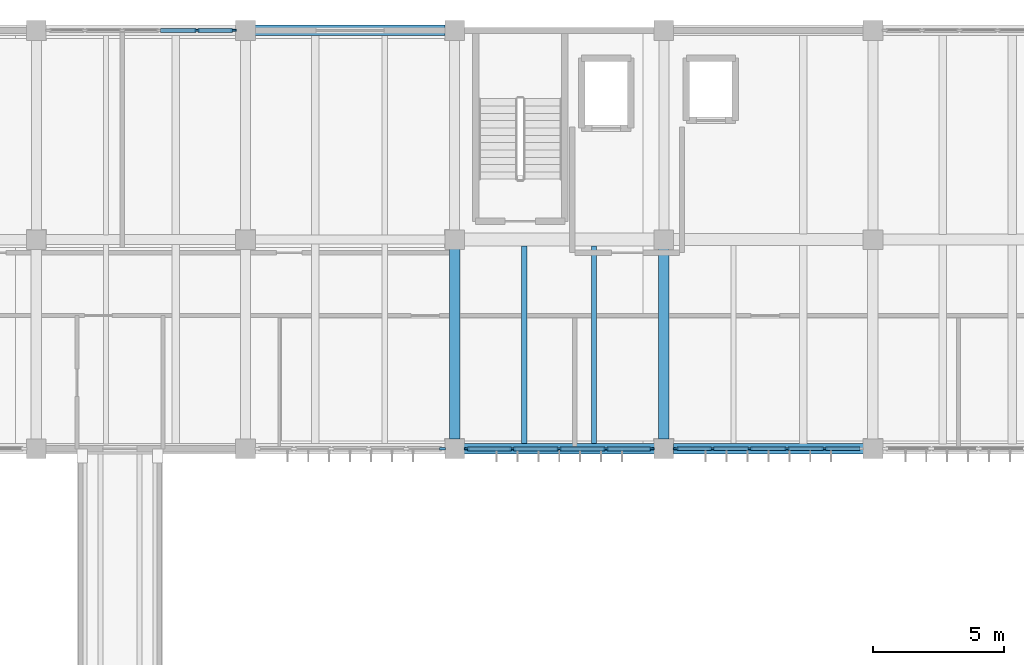
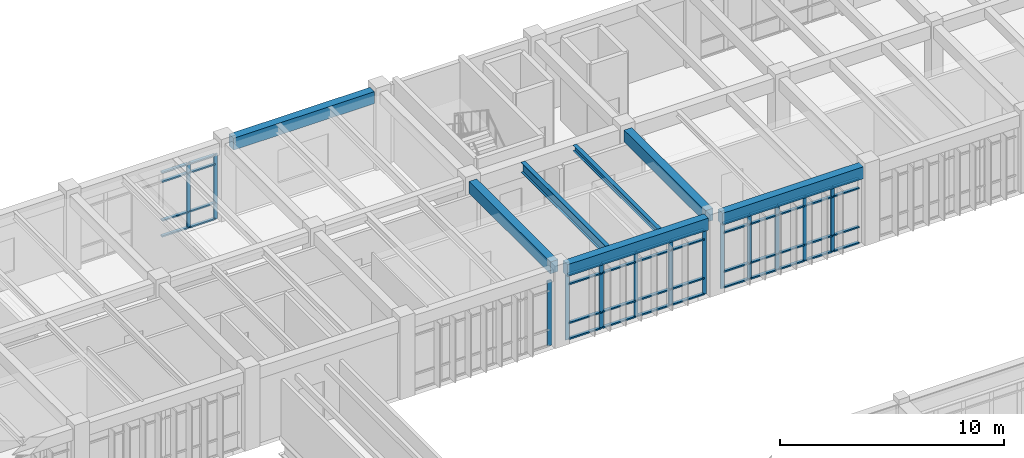
# One storey, part 24 of 79: 57 members, 7 beams, 4 elements without a shape of their own.
"""IFC4 building model written with IfcOpenShell, lengths in metres."""

from ifc_helpers import new_model, si_unit, direction, frame, origin, origin_2d, place, context, subcontext, project, spatial, rectangle, i_section, extrude, material, material_profile, profile_set, type_object, element, aggregate, save


model = new_model("IFC4")

# Units and contexts
model_context = context("Model", 3, precision=1e-05, world=origin(), true_north=direction((0.0, 1.0)))
body_context = subcontext(model_context, "Body", "Model", "MODEL_VIEW")
ifc_project = project(units=[si_unit("LENGTHUNIT", "METRE"), si_unit("AREAUNIT", "SQUARE_METRE"), si_unit("VOLUMEUNIT", "CUBIC_METRE"), si_unit("PLANEANGLEUNIT", "RADIAN"), si_unit("MASSUNIT", "GRAM", prefix="KILO")], contexts=[model_context])

# Site, building, storey
site_placement = place(None, origin())
site = spatial("IfcSite", under=ifc_project, at=site_placement, CompositionType="ELEMENT")
building_placement = place(site_placement, origin())
building = spatial("IfcBuilding", under=site, at=building_placement, Name="Tlaxcora Railside Police Headquarters", CompositionType="ELEMENT")
storey_placement = place(building_placement, frame((0.0, 0.0, 9.0)))
storey = spatial("IfcBuildingStorey", under=building, at=storey_placement, Name="L02", CompositionType="ELEMENT", Elevation=9.0)

# Curtain wall, member
ifc_material_1 = material(Name="Thermally broken low-E insulated glazing", Category="glass")
curtain_wall_type_1 = type_object("IfcCurtainWallType", Name="Unitised Curtain Wall Assembly CW-23", PredefinedType="NOTDEFINED", material=ifc_material_1)
curtain_wall_1_placement = place(storey_placement, origin())
curtain_wall_1 = element("IfcCurtainWall", 1, at=curtain_wall_1_placement, inside=storey, type_object=curtain_wall_type_1, Name="V5 L02 curtain wall 56", PredefinedType="NOTDEFINED")
ifc_material_2 = material(Name="Anodised aluminium framing", Category="aluminium")
ifc_material_profile_1 = material_profile(ifc_material_2, rectangle(XDim=0.080078125, YDim=0.219970703125, at=origin_2d()), Name="AL80X220")
ifc_profile_set_1 = profile_set([ifc_material_profile_1], Name="Anodised aluminium framing")
member_type_1 = type_object("IfcMemberType", Name="Curtain Wall Mullion CW-31", PredefinedType="MULLION", material=ifc_profile_set_1)
member_1_placement = place(storey_placement, frame((69.534912109375, 76.800048828125, 0.0), z_axis=(0.0, 0.0, 1.0), x_axis=(0.0, 1.0, 0.0)))
member_1 = element("IfcMember", 2, at=member_1_placement, type_object=member_type_1, Name="CW mullion 6", PredefinedType="MULLION", context=body_context, shape_type="SweptSolid", body=[
    extrude(rectangle(XDim=0.080078125, YDim=0.219970703125, at=origin_2d()), origin(), (0.0, 0.0, 1.0), 3.550048828125),
])
aggregate(curtain_wall_1, [member_1])

# Curtain wall, members
curtain_wall_type_2 = type_object("IfcCurtainWallType", Name="Unitised Curtain Wall Assembly CW-38", PredefinedType="NOTDEFINED", material=ifc_material_1)
curtain_wall_2_placement = place(storey_placement, origin())
curtain_wall_2 = element("IfcCurtainWall", 3, at=curtain_wall_2_placement, inside=storey, type_object=curtain_wall_type_2, Name="V5 L02 curtain wall 57", PredefinedType="NOTDEFINED")
ifc_material_profile_2 = material_profile(ifc_material_2, rectangle(XDim=0.074951171875, YDim=0.205078125, at=origin_2d()), Name="AL75X205")
ifc_profile_set_2 = profile_set([ifc_material_profile_2], Name="Anodised aluminium framing")
member_type_2 = type_object("IfcMemberType", Name="Curtain Wall Mullion CW-32", PredefinedType="MULLION", material=ifc_profile_set_2)
member_2_placement = place(storey_placement, frame((70.46240234375, 76.800048828125, 0.0), z_axis=(0.0, 0.0, 1.0), x_axis=(0.0, 1.0, 0.0)))
member_2 = element("IfcMember", 4, at=member_2_placement, type_object=member_type_2, Name="CW mullion 1", PredefinedType="MULLION", context=body_context, shape_type="SweptSolid", body=[
    extrude(rectangle(XDim=0.074951171875, YDim=0.205078125, at=origin_2d()), origin(), (0.0, 0.0, 1.0), 3.550048828125),
])
member_3_placement = place(storey_placement, frame((72.21240234375, 76.800048828125, 0.0), z_axis=(0.0, 0.0, 1.0), x_axis=(0.0, 1.0, 0.0)))
member_3 = element("IfcMember", 5, at=member_3_placement, type_object=member_type_2, Name="CW mullion 2", PredefinedType="MULLION", context=body_context, shape_type="SweptSolid", body=[
    extrude(rectangle(XDim=0.074951171875, YDim=0.205078125, at=origin_2d()), origin(), (0.0, 0.0, 1.0), 3.550048828125),
])
member_4_placement = place(storey_placement, frame((74.0, 76.800048828125, 0.0), z_axis=(0.0, 0.0, 1.0), x_axis=(0.0, 1.0, 0.0)))
member_4 = element("IfcMember", 6, at=member_4_placement, type_object=member_type_2, Name="CW mullion 3", PredefinedType="MULLION", context=body_context, shape_type="SweptSolid", body=[
    extrude(rectangle(XDim=0.074951171875, YDim=0.205078125, at=origin_2d()), origin(), (0.0, 0.0, 1.0), 3.550048828125),
])
member_5_placement = place(storey_placement, frame((75.78759765625, 76.800048828125, 0.0), z_axis=(0.0, 0.0, 1.0), x_axis=(0.0, 1.0, 0.0)))
member_5 = element("IfcMember", 7, at=member_5_placement, type_object=member_type_2, Name="CW mullion 4", PredefinedType="MULLION", context=body_context, shape_type="SweptSolid", body=[
    extrude(rectangle(XDim=0.074951171875, YDim=0.205078125, at=origin_2d()), origin(), (0.0, 0.0, 1.0), 3.550048828125),
])
member_6_placement = place(storey_placement, frame((77.53759765625, 76.800048828125, 0.0), z_axis=(0.0, 0.0, 1.0), x_axis=(0.0, 1.0, 0.0)))
member_6 = element("IfcMember", 8, at=member_6_placement, type_object=member_type_2, Name="CW mullion 5", PredefinedType="MULLION", context=body_context, shape_type="SweptSolid", body=[
    extrude(rectangle(XDim=0.074951171875, YDim=0.205078125, at=origin_2d()), origin(), (0.0, 0.0, 1.0), 3.550048828125),
])

curtain_wall_type_3 = type_object("IfcCurtainWallType", Name="Unitised Curtain Wall Assembly CW-15", PredefinedType="NOTDEFINED", material=ifc_material_1)
curtain_wall_3_placement = place(storey_placement, origin())
curtain_wall_3 = element("IfcCurtainWall", 9, at=curtain_wall_3_placement, inside=storey, type_object=curtain_wall_type_3, Name="V5 L02 curtain wall 58", PredefinedType="NOTDEFINED")
ifc_material_profile_3 = material_profile(ifc_material_2, rectangle(XDim=0.074951171875, YDim=0.199951171875, at=origin_2d()), Name="AL75X200")
ifc_profile_set_3 = profile_set([ifc_material_profile_3], Name="Anodised aluminium framing")
member_type_3 = type_object("IfcMemberType", Name="Curtain Wall Mullion CW-58", PredefinedType="MULLION", material=ifc_profile_set_3)
member_7_placement = place(storey_placement, frame((78.46240234375, 76.800048828125, 0.0), z_axis=(0.0, 0.0, 1.0), x_axis=(0.0, 1.0, 0.0)))
member_7 = element("IfcMember", 10, at=member_7_placement, type_object=member_type_3, Name="CW mullion 1", PredefinedType="MULLION", context=body_context, shape_type="SweptSolid", body=[
    extrude(rectangle(XDim=0.074951171875, YDim=0.199951171875, at=origin_2d()), origin(), (0.0, 0.0, 1.0), 3.550048828125),
])
member_8_placement = place(storey_placement, frame((79.85498046875, 76.800048828125, 0.0), z_axis=(0.0, 0.0, 1.0), x_axis=(0.0, 1.0, 0.0)))
member_8 = element("IfcMember", 11, at=member_8_placement, type_object=member_type_3, Name="CW mullion 2", PredefinedType="MULLION", context=body_context, shape_type="SweptSolid", body=[
    extrude(rectangle(XDim=0.074951171875, YDim=0.199951171875, at=origin_2d()), origin(), (0.0, 0.0, 1.0), 3.550048828125),
])
member_9_placement = place(storey_placement, frame((81.284912109375, 76.800048828125, 0.0), z_axis=(0.0, 0.0, 1.0), x_axis=(0.0, 1.0, 0.0)))
member_9 = element("IfcMember", 12, at=member_9_placement, type_object=member_type_3, Name="CW mullion 3", PredefinedType="MULLION", context=body_context, shape_type="SweptSolid", body=[
    extrude(rectangle(XDim=0.074951171875, YDim=0.199951171875, at=origin_2d()), origin(), (0.0, 0.0, 1.0), 3.550048828125),
])
member_10_placement = place(storey_placement, frame((82.715087890625, 76.800048828125, 0.0), z_axis=(0.0, 0.0, 1.0), x_axis=(0.0, 1.0, 0.0)))
member_10 = element("IfcMember", 13, at=member_10_placement, type_object=member_type_3, Name="CW mullion 4", PredefinedType="MULLION", context=body_context, shape_type="SweptSolid", body=[
    extrude(rectangle(XDim=0.074951171875, YDim=0.199951171875, at=origin_2d()), origin(), (0.0, 0.0, 1.0), 3.550048828125),
])
member_11_placement = place(storey_placement, frame((84.14501953125, 76.800048828125, 0.0), z_axis=(0.0, 0.0, 1.0), x_axis=(0.0, 1.0, 0.0)))
member_11 = element("IfcMember", 14, at=member_11_placement, type_object=member_type_3, Name="CW mullion 5", PredefinedType="MULLION", context=body_context, shape_type="SweptSolid", body=[
    extrude(rectangle(XDim=0.074951171875, YDim=0.199951171875, at=origin_2d()), origin(), (0.0, 0.0, 1.0), 3.550048828125),
])

curtain_wall_4_placement = place(storey_placement, origin())
curtain_wall_4 = element("IfcCurtainWall", 15, at=curtain_wall_4_placement, inside=storey, type_object=curtain_wall_type_3, Name="V5 L02 curtain wall 62", PredefinedType="NOTDEFINED")
member_12_placement = place(storey_placement, frame((61.53759765625, 92.800048828125, 0.0), z_axis=(0.0, 0.0, 1.0), x_axis=(0.0, -1.0, 0.0)))
member_12 = element("IfcMember", 16, at=member_12_placement, type_object=member_type_3, Name="CW mullion 1", PredefinedType="MULLION", context=body_context, shape_type="SweptSolid", body=[
    extrude(rectangle(XDim=0.074951171875, YDim=0.199951171875, at=origin_2d()), origin(), (0.0, 0.0, 1.0), 3.550048828125),
])
member_13_placement = place(storey_placement, frame((60.14501953125, 92.800048828125, 0.0), z_axis=(0.0, 0.0, 1.0), x_axis=(0.0, -1.0, 0.0)))
member_13 = element("IfcMember", 17, at=member_13_placement, type_object=member_type_3, Name="CW mullion 2", PredefinedType="MULLION", context=body_context, shape_type="SweptSolid", body=[
    extrude(rectangle(XDim=0.074951171875, YDim=0.199951171875, at=origin_2d()), origin(), (0.0, 0.0, 1.0), 3.550048828125),
])

# Member
ifc_material_profile_4 = material_profile(ifc_material_2, rectangle(XDim=0.14990234375, YDim=0.074951171875, at=origin_2d()), Name="AL75X150")
ifc_profile_set_4 = profile_set([ifc_material_profile_4], Name="Anodised aluminium framing")
member_type_4 = type_object("IfcMemberType", Name="Curtain Wall Transom CW-28", PredefinedType="USERDEFINED", material=ifc_profile_set_4)
member_14_placement = place(storey_placement, frame((78.5, 76.800048828125, 0.03759765625), z_axis=(1.0, 0.0, 0.0), x_axis=(0.0, 1.0, 0.0)))
member_14 = element("IfcMember", 18, at=member_14_placement, type_object=member_type_4, Name="CW transom 1.1", ObjectType="TRANSOM", PredefinedType="USERDEFINED", context=body_context, shape_type="SweptSolid", body=[
    extrude(rectangle(XDim=0.14990234375, YDim=0.074951171875, at=origin_2d()), origin(), (0.0, 0.0, 1.0), 1.3173828125),
])

member_15_placement = place(storey_placement, frame((78.5, 76.800048828125, 0.89990234375), z_axis=(1.0, 0.0, 0.0), x_axis=(0.0, 1.0, 0.0)))
member_15 = element("IfcMember", 19, at=member_15_placement, type_object=member_type_4, Name="CW transom 1.2", ObjectType="TRANSOM", PredefinedType="USERDEFINED", context=body_context, shape_type="SweptSolid", body=[
    extrude(rectangle(XDim=0.14990234375, YDim=0.074951171875, at=origin_2d()), origin(), (0.0, 0.0, 1.0), 1.3173828125),
])

member_16_placement = place(storey_placement, frame((78.5, 76.800048828125, 3.02001953125), z_axis=(1.0, 0.0, 0.0), x_axis=(0.0, 1.0, 0.0)))
member_16 = element("IfcMember", 20, at=member_16_placement, type_object=member_type_4, Name="CW transom 1.3", ObjectType="TRANSOM", PredefinedType="USERDEFINED", context=body_context, shape_type="SweptSolid", body=[
    extrude(rectangle(XDim=0.14990234375, YDim=0.074951171875, at=origin_2d()), origin(), (0.0, 0.0, 1.0), 1.3173828125),
])

member_17_placement = place(storey_placement, frame((78.5, 76.800048828125, 3.512451171875), z_axis=(1.0, 0.0, 0.0), x_axis=(0.0, 1.0, 0.0)))
member_17 = element("IfcMember", 21, at=member_17_placement, type_object=member_type_4, Name="CW transom 1.4", ObjectType="TRANSOM", PredefinedType="USERDEFINED", context=body_context, shape_type="SweptSolid", body=[
    extrude(rectangle(XDim=0.14990234375, YDim=0.074951171875, at=origin_2d()), origin(), (0.0, 0.0, 1.0), 1.3173828125),
])

member_18_placement = place(storey_placement, frame((79.892578125, 76.800048828125, 0.03759765625), z_axis=(1.0, 0.0, 0.0), x_axis=(0.0, 1.0, 0.0)))
member_18 = element("IfcMember", 22, at=member_18_placement, type_object=member_type_4, Name="CW transom 2.1", ObjectType="TRANSOM", PredefinedType="USERDEFINED", context=body_context, shape_type="SweptSolid", body=[
    extrude(rectangle(XDim=0.14990234375, YDim=0.074951171875, at=origin_2d()), origin(), (0.0, 0.0, 1.0), 1.35498046875),
])

member_19_placement = place(storey_placement, frame((79.892578125, 76.800048828125, 0.89990234375), z_axis=(1.0, 0.0, 0.0), x_axis=(0.0, 1.0, 0.0)))
member_19 = element("IfcMember", 23, at=member_19_placement, type_object=member_type_4, Name="CW transom 2.2", ObjectType="TRANSOM", PredefinedType="USERDEFINED", context=body_context, shape_type="SweptSolid", body=[
    extrude(rectangle(XDim=0.14990234375, YDim=0.074951171875, at=origin_2d()), origin(), (0.0, 0.0, 1.0), 1.35498046875),
])

member_20_placement = place(storey_placement, frame((79.892578125, 76.800048828125, 3.02001953125), z_axis=(1.0, 0.0, 0.0), x_axis=(0.0, 1.0, 0.0)))
member_20 = element("IfcMember", 24, at=member_20_placement, type_object=member_type_4, Name="CW transom 2.3", ObjectType="TRANSOM", PredefinedType="USERDEFINED", context=body_context, shape_type="SweptSolid", body=[
    extrude(rectangle(XDim=0.14990234375, YDim=0.074951171875, at=origin_2d()), origin(), (0.0, 0.0, 1.0), 1.35498046875),
])

member_21_placement = place(storey_placement, frame((79.892578125, 76.800048828125, 3.512451171875), z_axis=(1.0, 0.0, 0.0), x_axis=(0.0, 1.0, 0.0)))
member_21 = element("IfcMember", 25, at=member_21_placement, type_object=member_type_4, Name="CW transom 2.4", ObjectType="TRANSOM", PredefinedType="USERDEFINED", context=body_context, shape_type="SweptSolid", body=[
    extrude(rectangle(XDim=0.14990234375, YDim=0.074951171875, at=origin_2d()), origin(), (0.0, 0.0, 1.0), 1.35498046875),
])

member_22_placement = place(storey_placement, frame((81.322509765625, 76.800048828125, 0.03759765625), z_axis=(1.0, 0.0, 0.0), x_axis=(0.0, 1.0, 0.0)))
member_22 = element("IfcMember", 26, at=member_22_placement, type_object=member_type_4, Name="CW transom 3.1", ObjectType="TRANSOM", PredefinedType="USERDEFINED", context=body_context, shape_type="SweptSolid", body=[
    extrude(rectangle(XDim=0.14990234375, YDim=0.074951171875, at=origin_2d()), origin(), (0.0, 0.0, 1.0), 1.35498046875),
])

member_23_placement = place(storey_placement, frame((81.322509765625, 76.800048828125, 0.89990234375), z_axis=(1.0, 0.0, 0.0), x_axis=(0.0, 1.0, 0.0)))
member_23 = element("IfcMember", 27, at=member_23_placement, type_object=member_type_4, Name="CW transom 3.2", ObjectType="TRANSOM", PredefinedType="USERDEFINED", context=body_context, shape_type="SweptSolid", body=[
    extrude(rectangle(XDim=0.14990234375, YDim=0.074951171875, at=origin_2d()), origin(), (0.0, 0.0, 1.0), 1.35498046875),
])

member_24_placement = place(storey_placement, frame((81.322509765625, 76.800048828125, 3.02001953125), z_axis=(1.0, 0.0, 0.0), x_axis=(0.0, 1.0, 0.0)))
member_24 = element("IfcMember", 28, at=member_24_placement, type_object=member_type_4, Name="CW transom 3.3", ObjectType="TRANSOM", PredefinedType="USERDEFINED", context=body_context, shape_type="SweptSolid", body=[
    extrude(rectangle(XDim=0.14990234375, YDim=0.074951171875, at=origin_2d()), origin(), (0.0, 0.0, 1.0), 1.35498046875),
])

member_25_placement = place(storey_placement, frame((81.322509765625, 76.800048828125, 3.512451171875), z_axis=(1.0, 0.0, 0.0), x_axis=(0.0, 1.0, 0.0)))
member_25 = element("IfcMember", 29, at=member_25_placement, type_object=member_type_4, Name="CW transom 3.4", ObjectType="TRANSOM", PredefinedType="USERDEFINED", context=body_context, shape_type="SweptSolid", body=[
    extrude(rectangle(XDim=0.14990234375, YDim=0.074951171875, at=origin_2d()), origin(), (0.0, 0.0, 1.0), 1.35498046875),
])

member_26_placement = place(storey_placement, frame((82.75244140625, 76.800048828125, 0.03759765625), z_axis=(1.0, 0.0, 0.0), x_axis=(0.0, 1.0, 0.0)))
member_26 = element("IfcMember", 30, at=member_26_placement, type_object=member_type_4, Name="CW transom 4.1", ObjectType="TRANSOM", PredefinedType="USERDEFINED", context=body_context, shape_type="SweptSolid", body=[
    extrude(rectangle(XDim=0.14990234375, YDim=0.074951171875, at=origin_2d()), origin(), (0.0, 0.0, 1.0), 1.35498046875),
])

member_27_placement = place(storey_placement, frame((82.75244140625, 76.800048828125, 0.89990234375), z_axis=(1.0, 0.0, 0.0), x_axis=(0.0, 1.0, 0.0)))
member_27 = element("IfcMember", 31, at=member_27_placement, type_object=member_type_4, Name="CW transom 4.2", ObjectType="TRANSOM", PredefinedType="USERDEFINED", context=body_context, shape_type="SweptSolid", body=[
    extrude(rectangle(XDim=0.14990234375, YDim=0.074951171875, at=origin_2d()), origin(), (0.0, 0.0, 1.0), 1.35498046875),
])

member_28_placement = place(storey_placement, frame((82.75244140625, 76.800048828125, 3.02001953125), z_axis=(1.0, 0.0, 0.0), x_axis=(0.0, 1.0, 0.0)))
member_28 = element("IfcMember", 32, at=member_28_placement, type_object=member_type_4, Name="CW transom 4.3", ObjectType="TRANSOM", PredefinedType="USERDEFINED", context=body_context, shape_type="SweptSolid", body=[
    extrude(rectangle(XDim=0.14990234375, YDim=0.074951171875, at=origin_2d()), origin(), (0.0, 0.0, 1.0), 1.35498046875),
])

member_29_placement = place(storey_placement, frame((82.75244140625, 76.800048828125, 3.512451171875), z_axis=(1.0, 0.0, 0.0), x_axis=(0.0, 1.0, 0.0)))
member_29 = element("IfcMember", 33, at=member_29_placement, type_object=member_type_4, Name="CW transom 4.4", ObjectType="TRANSOM", PredefinedType="USERDEFINED", context=body_context, shape_type="SweptSolid", body=[
    extrude(rectangle(XDim=0.14990234375, YDim=0.074951171875, at=origin_2d()), origin(), (0.0, 0.0, 1.0), 1.35498046875),
])

member_30_placement = place(storey_placement, frame((84.1826171875, 76.800048828125, 0.03759765625), z_axis=(1.0, 0.0, 0.0), x_axis=(0.0, 1.0, 0.0)))
member_30 = element("IfcMember", 34, at=member_30_placement, type_object=member_type_4, Name="CW transom 5.1", ObjectType="TRANSOM", PredefinedType="USERDEFINED", context=body_context, shape_type="SweptSolid", body=[
    extrude(rectangle(XDim=0.14990234375, YDim=0.074951171875, at=origin_2d()), origin(), (0.0, 0.0, 1.0), 1.3173828125),
])

member_31_placement = place(storey_placement, frame((84.1826171875, 76.800048828125, 0.89990234375), z_axis=(1.0, 0.0, 0.0), x_axis=(0.0, 1.0, 0.0)))
member_31 = element("IfcMember", 35, at=member_31_placement, type_object=member_type_4, Name="CW transom 5.2", ObjectType="TRANSOM", PredefinedType="USERDEFINED", context=body_context, shape_type="SweptSolid", body=[
    extrude(rectangle(XDim=0.14990234375, YDim=0.074951171875, at=origin_2d()), origin(), (0.0, 0.0, 1.0), 1.3173828125),
])

member_32_placement = place(storey_placement, frame((84.1826171875, 76.800048828125, 3.02001953125), z_axis=(1.0, 0.0, 0.0), x_axis=(0.0, 1.0, 0.0)))
member_32 = element("IfcMember", 36, at=member_32_placement, type_object=member_type_4, Name="CW transom 5.3", ObjectType="TRANSOM", PredefinedType="USERDEFINED", context=body_context, shape_type="SweptSolid", body=[
    extrude(rectangle(XDim=0.14990234375, YDim=0.074951171875, at=origin_2d()), origin(), (0.0, 0.0, 1.0), 1.3173828125),
])

member_33_placement = place(storey_placement, frame((84.1826171875, 76.800048828125, 3.512451171875), z_axis=(1.0, 0.0, 0.0), x_axis=(0.0, 1.0, 0.0)))
member_33 = element("IfcMember", 37, at=member_33_placement, type_object=member_type_4, Name="CW transom 5.4", ObjectType="TRANSOM", PredefinedType="USERDEFINED", context=body_context, shape_type="SweptSolid", body=[
    extrude(rectangle(XDim=0.14990234375, YDim=0.074951171875, at=origin_2d()), origin(), (0.0, 0.0, 1.0), 1.3173828125),
])

aggregate(curtain_wall_3, [member_7, member_8, member_9, member_10, member_11, member_14, member_15, member_16, member_17, member_18, member_19, member_20, member_21, member_22, member_23, member_24, member_25, member_26, member_27, member_28, member_29, member_30, member_31, member_32, member_33])

member_34_placement = place(storey_placement, frame((61.5, 92.800048828125, 0.03759765625), z_axis=(-1.0, 0.0, 0.0), x_axis=(0.0, -1.0, 0.0)))
member_34 = element("IfcMember", 38, at=member_34_placement, type_object=member_type_4, Name="CW transom 1.1", ObjectType="TRANSOM", PredefinedType="USERDEFINED", context=body_context, shape_type="SweptSolid", body=[
    extrude(rectangle(XDim=0.14990234375, YDim=0.074951171875, at=origin_2d()), origin(), (0.0, 0.0, 1.0), 1.3173828125),
])

member_35_placement = place(storey_placement, frame((61.5, 92.800048828125, 0.89990234375), z_axis=(-1.0, 0.0, 0.0), x_axis=(0.0, -1.0, 0.0)))
member_35 = element("IfcMember", 39, at=member_35_placement, type_object=member_type_4, Name="CW transom 1.2", ObjectType="TRANSOM", PredefinedType="USERDEFINED", context=body_context, shape_type="SweptSolid", body=[
    extrude(rectangle(XDim=0.14990234375, YDim=0.074951171875, at=origin_2d()), origin(), (0.0, 0.0, 1.0), 1.3173828125),
])

member_36_placement = place(storey_placement, frame((61.5, 92.800048828125, 3.02001953125), z_axis=(-1.0, 0.0, 0.0), x_axis=(0.0, -1.0, 0.0)))
member_36 = element("IfcMember", 40, at=member_36_placement, type_object=member_type_4, Name="CW transom 1.3", ObjectType="TRANSOM", PredefinedType="USERDEFINED", context=body_context, shape_type="SweptSolid", body=[
    extrude(rectangle(XDim=0.14990234375, YDim=0.074951171875, at=origin_2d()), origin(), (0.0, 0.0, 1.0), 1.3173828125),
])

member_37_placement = place(storey_placement, frame((61.5, 92.800048828125, 3.512451171875), z_axis=(-1.0, 0.0, 0.0), x_axis=(0.0, -1.0, 0.0)))
member_37 = element("IfcMember", 41, at=member_37_placement, type_object=member_type_4, Name="CW transom 1.4", ObjectType="TRANSOM", PredefinedType="USERDEFINED", context=body_context, shape_type="SweptSolid", body=[
    extrude(rectangle(XDim=0.14990234375, YDim=0.074951171875, at=origin_2d()), origin(), (0.0, 0.0, 1.0), 1.3173828125),
])

member_38_placement = place(storey_placement, frame((60.107421875, 92.800048828125, 0.03759765625), z_axis=(-1.0, 0.0, 0.0), x_axis=(0.0, -1.0, 0.0)))
member_38 = element("IfcMember", 42, at=member_38_placement, type_object=member_type_4, Name="CW transom 2.1", ObjectType="TRANSOM", PredefinedType="USERDEFINED", context=body_context, shape_type="SweptSolid", body=[
    extrude(rectangle(XDim=0.14990234375, YDim=0.074951171875, at=origin_2d()), origin(), (0.0, 0.0, 1.0), 1.35498046875),
])

member_39_placement = place(storey_placement, frame((60.107421875, 92.800048828125, 0.89990234375), z_axis=(-1.0, 0.0, 0.0), x_axis=(0.0, -1.0, 0.0)))
member_39 = element("IfcMember", 43, at=member_39_placement, type_object=member_type_4, Name="CW transom 2.2", ObjectType="TRANSOM", PredefinedType="USERDEFINED", context=body_context, shape_type="SweptSolid", body=[
    extrude(rectangle(XDim=0.14990234375, YDim=0.074951171875, at=origin_2d()), origin(), (0.0, 0.0, 1.0), 1.35498046875),
])

member_40_placement = place(storey_placement, frame((60.107421875, 92.800048828125, 3.02001953125), z_axis=(-1.0, 0.0, 0.0), x_axis=(0.0, -1.0, 0.0)))
member_40 = element("IfcMember", 44, at=member_40_placement, type_object=member_type_4, Name="CW transom 2.3", ObjectType="TRANSOM", PredefinedType="USERDEFINED", context=body_context, shape_type="SweptSolid", body=[
    extrude(rectangle(XDim=0.14990234375, YDim=0.074951171875, at=origin_2d()), origin(), (0.0, 0.0, 1.0), 1.35498046875),
])

member_41_placement = place(storey_placement, frame((60.107421875, 92.800048828125, 3.512451171875), z_axis=(-1.0, 0.0, 0.0), x_axis=(0.0, -1.0, 0.0)))
member_41 = element("IfcMember", 45, at=member_41_placement, type_object=member_type_4, Name="CW transom 2.4", ObjectType="TRANSOM", PredefinedType="USERDEFINED", context=body_context, shape_type="SweptSolid", body=[
    extrude(rectangle(XDim=0.14990234375, YDim=0.074951171875, at=origin_2d()), origin(), (0.0, 0.0, 1.0), 1.35498046875),
])

aggregate(curtain_wall_4, [member_12, member_13, member_34, member_35, member_36, member_37, member_38, member_39, member_40, member_41])

ifc_material_profile_5 = material_profile(ifc_material_2, rectangle(XDim=0.155029296875, YDim=0.074951171875, at=origin_2d()), Name="AL75X155")
ifc_profile_set_5 = profile_set([ifc_material_profile_5], Name="Anodised aluminium framing")
member_type_5 = type_object("IfcMemberType", Name="Curtain Wall Transom CW-30", PredefinedType="USERDEFINED", material=ifc_profile_set_5)
member_42_placement = place(storey_placement, frame((70.5, 76.800048828125, 0.03759765625), z_axis=(1.0, 0.0, 0.0), x_axis=(0.0, 1.0, 0.0)))
member_42 = element("IfcMember", 46, at=member_42_placement, type_object=member_type_5, Name="CW transom 1.1", ObjectType="TRANSOM", PredefinedType="USERDEFINED", context=body_context, shape_type="SweptSolid", body=[
    extrude(rectangle(XDim=0.155029296875, YDim=0.074951171875, at=origin_2d()), origin(), (0.0, 0.0, 1.0), 1.675048828125),
])

member_43_placement = place(storey_placement, frame((70.5, 76.800048828125, 0.89990234375), z_axis=(1.0, 0.0, 0.0), x_axis=(0.0, 1.0, 0.0)))
member_43 = element("IfcMember", 47, at=member_43_placement, type_object=member_type_5, Name="CW transom 1.2", ObjectType="TRANSOM", PredefinedType="USERDEFINED", context=body_context, shape_type="SweptSolid", body=[
    extrude(rectangle(XDim=0.155029296875, YDim=0.074951171875, at=origin_2d()), origin(), (0.0, 0.0, 1.0), 1.675048828125),
])

member_44_placement = place(storey_placement, frame((70.5, 76.800048828125, 3.02001953125), z_axis=(1.0, 0.0, 0.0), x_axis=(0.0, 1.0, 0.0)))
member_44 = element("IfcMember", 48, at=member_44_placement, type_object=member_type_5, Name="CW transom 1.3", ObjectType="TRANSOM", PredefinedType="USERDEFINED", context=body_context, shape_type="SweptSolid", body=[
    extrude(rectangle(XDim=0.155029296875, YDim=0.074951171875, at=origin_2d()), origin(), (0.0, 0.0, 1.0), 1.675048828125),
])

member_45_placement = place(storey_placement, frame((70.5, 76.800048828125, 3.512451171875), z_axis=(1.0, 0.0, 0.0), x_axis=(0.0, 1.0, 0.0)))
member_45 = element("IfcMember", 49, at=member_45_placement, type_object=member_type_5, Name="CW transom 1.4", ObjectType="TRANSOM", PredefinedType="USERDEFINED", context=body_context, shape_type="SweptSolid", body=[
    extrude(rectangle(XDim=0.155029296875, YDim=0.074951171875, at=origin_2d()), origin(), (0.0, 0.0, 1.0), 1.675048828125),
])

member_46_placement = place(storey_placement, frame((72.25, 76.800048828125, 0.03759765625), z_axis=(1.0, 0.0, 0.0), x_axis=(0.0, 1.0, 0.0)))
member_46 = element("IfcMember", 50, at=member_46_placement, type_object=member_type_5, Name="CW transom 2.1", ObjectType="TRANSOM", PredefinedType="USERDEFINED", context=body_context, shape_type="SweptSolid", body=[
    extrude(rectangle(XDim=0.155029296875, YDim=0.074951171875, at=origin_2d()), origin(), (0.0, 0.0, 1.0), 1.71240234375),
])

member_47_placement = place(storey_placement, frame((72.25, 76.800048828125, 0.89990234375), z_axis=(1.0, 0.0, 0.0), x_axis=(0.0, 1.0, 0.0)))
member_47 = element("IfcMember", 51, at=member_47_placement, type_object=member_type_5, Name="CW transom 2.2", ObjectType="TRANSOM", PredefinedType="USERDEFINED", context=body_context, shape_type="SweptSolid", body=[
    extrude(rectangle(XDim=0.155029296875, YDim=0.074951171875, at=origin_2d()), origin(), (0.0, 0.0, 1.0), 1.71240234375),
])

member_48_placement = place(storey_placement, frame((72.25, 76.800048828125, 3.02001953125), z_axis=(1.0, 0.0, 0.0), x_axis=(0.0, 1.0, 0.0)))
member_48 = element("IfcMember", 52, at=member_48_placement, type_object=member_type_5, Name="CW transom 2.3", ObjectType="TRANSOM", PredefinedType="USERDEFINED", context=body_context, shape_type="SweptSolid", body=[
    extrude(rectangle(XDim=0.155029296875, YDim=0.074951171875, at=origin_2d()), origin(), (0.0, 0.0, 1.0), 1.71240234375),
])

member_49_placement = place(storey_placement, frame((72.25, 76.800048828125, 3.512451171875), z_axis=(1.0, 0.0, 0.0), x_axis=(0.0, 1.0, 0.0)))
member_49 = element("IfcMember", 53, at=member_49_placement, type_object=member_type_5, Name="CW transom 2.4", ObjectType="TRANSOM", PredefinedType="USERDEFINED", context=body_context, shape_type="SweptSolid", body=[
    extrude(rectangle(XDim=0.155029296875, YDim=0.074951171875, at=origin_2d()), origin(), (0.0, 0.0, 1.0), 1.71240234375),
])

member_50_placement = place(storey_placement, frame((74.03759765625, 76.800048828125, 0.03759765625), z_axis=(1.0, 0.0, 0.0), x_axis=(0.0, 1.0, 0.0)))
member_50 = element("IfcMember", 54, at=member_50_placement, type_object=member_type_5, Name="CW transom 3.1", ObjectType="TRANSOM", PredefinedType="USERDEFINED", context=body_context, shape_type="SweptSolid", body=[
    extrude(rectangle(XDim=0.155029296875, YDim=0.074951171875, at=origin_2d()), origin(), (0.0, 0.0, 1.0), 1.71240234375),
])

member_51_placement = place(storey_placement, frame((74.03759765625, 76.800048828125, 0.89990234375), z_axis=(1.0, 0.0, 0.0), x_axis=(0.0, 1.0, 0.0)))
member_51 = element("IfcMember", 55, at=member_51_placement, type_object=member_type_5, Name="CW transom 3.2", ObjectType="TRANSOM", PredefinedType="USERDEFINED", context=body_context, shape_type="SweptSolid", body=[
    extrude(rectangle(XDim=0.155029296875, YDim=0.074951171875, at=origin_2d()), origin(), (0.0, 0.0, 1.0), 1.71240234375),
])

member_52_placement = place(storey_placement, frame((74.03759765625, 76.800048828125, 3.02001953125), z_axis=(1.0, 0.0, 0.0), x_axis=(0.0, 1.0, 0.0)))
member_52 = element("IfcMember", 56, at=member_52_placement, type_object=member_type_5, Name="CW transom 3.3", ObjectType="TRANSOM", PredefinedType="USERDEFINED", context=body_context, shape_type="SweptSolid", body=[
    extrude(rectangle(XDim=0.155029296875, YDim=0.074951171875, at=origin_2d()), origin(), (0.0, 0.0, 1.0), 1.71240234375),
])

member_53_placement = place(storey_placement, frame((74.03759765625, 76.800048828125, 3.512451171875), z_axis=(1.0, 0.0, 0.0), x_axis=(0.0, 1.0, 0.0)))
member_53 = element("IfcMember", 57, at=member_53_placement, type_object=member_type_5, Name="CW transom 3.4", ObjectType="TRANSOM", PredefinedType="USERDEFINED", context=body_context, shape_type="SweptSolid", body=[
    extrude(rectangle(XDim=0.155029296875, YDim=0.074951171875, at=origin_2d()), origin(), (0.0, 0.0, 1.0), 1.71240234375),
])

member_54_placement = place(storey_placement, frame((75.824951171875, 76.800048828125, 0.03759765625), z_axis=(1.0, 0.0, 0.0), x_axis=(0.0, 1.0, 0.0)))
member_54 = element("IfcMember", 58, at=member_54_placement, type_object=member_type_5, Name="CW transom 4.1", ObjectType="TRANSOM", PredefinedType="USERDEFINED", context=body_context, shape_type="SweptSolid", body=[
    extrude(rectangle(XDim=0.155029296875, YDim=0.074951171875, at=origin_2d()), origin(), (0.0, 0.0, 1.0), 1.675048828125),
])

member_55_placement = place(storey_placement, frame((75.824951171875, 76.800048828125, 0.89990234375), z_axis=(1.0, 0.0, 0.0), x_axis=(0.0, 1.0, 0.0)))
member_55 = element("IfcMember", 59, at=member_55_placement, type_object=member_type_5, Name="CW transom 4.2", ObjectType="TRANSOM", PredefinedType="USERDEFINED", context=body_context, shape_type="SweptSolid", body=[
    extrude(rectangle(XDim=0.155029296875, YDim=0.074951171875, at=origin_2d()), origin(), (0.0, 0.0, 1.0), 1.675048828125),
])

member_56_placement = place(storey_placement, frame((75.824951171875, 76.800048828125, 3.02001953125), z_axis=(1.0, 0.0, 0.0), x_axis=(0.0, 1.0, 0.0)))
member_56 = element("IfcMember", 60, at=member_56_placement, type_object=member_type_5, Name="CW transom 4.3", ObjectType="TRANSOM", PredefinedType="USERDEFINED", context=body_context, shape_type="SweptSolid", body=[
    extrude(rectangle(XDim=0.155029296875, YDim=0.074951171875, at=origin_2d()), origin(), (0.0, 0.0, 1.0), 1.675048828125),
])

member_57_placement = place(storey_placement, frame((75.824951171875, 76.800048828125, 3.512451171875), z_axis=(1.0, 0.0, 0.0), x_axis=(0.0, 1.0, 0.0)))
member_57 = element("IfcMember", 61, at=member_57_placement, type_object=member_type_5, Name="CW transom 4.4", ObjectType="TRANSOM", PredefinedType="USERDEFINED", context=body_context, shape_type="SweptSolid", body=[
    extrude(rectangle(XDim=0.155029296875, YDim=0.074951171875, at=origin_2d()), origin(), (0.0, 0.0, 1.0), 1.675048828125),
])

aggregate(curtain_wall_2, [member_2, member_3, member_4, member_5, member_6, member_42, member_43, member_44, member_45, member_46, member_47, member_48, member_49, member_50, member_51, member_52, member_53, member_54, member_55, member_56, member_57])

# Beams
ifc_material_3 = material(Name="Concrete C40/50", Category="concrete")
ifc_material_profile_6 = material_profile(ifc_material_3, rectangle(XDim=0.39990234375, YDim=0.64990234375, at=origin_2d()), Name="RC400X650")
ifc_profile_set_6 = profile_set([ifc_material_profile_6], Name="Concrete C40/50")
beam_type_1 = type_object("IfcBeamType", Name="Perimeter Spandrel Beam BM-46", PredefinedType="SPANDREL", material=ifc_profile_set_6)
for number, where, z_axis, x_axis, name in (
    (62, (70.364990234375, 76.800048828125, 3.89501953125), (1.0, 0.0, 0.0), (0.0, 1.0, 0.0), "V5 L02 X-girder Y=76.8"),
    (63, (78.364990234375, 76.800048828125, 3.89501953125), (1.0, 0.0, 0.0), (0.0, 1.0, 0.0), "V5 L02 X-girder Y=76.8"),
    (64, (62.364990234375, 92.800048828125, 3.89501953125), (1.0, 0.0, 0.0), (0.0, 1.0, 0.0), "V5 L02 X-girder Y=92.8"),
):
    element("IfcBeam", number, at=place(storey_placement, frame(where, z_axis=z_axis, x_axis=x_axis)), inside=storey, type_object=beam_type_1, Name=name, PredefinedType="SPANDREL", context=body_context, shape_type="SweptSolid", body=[
        extrude(rectangle(XDim=0.39990234375, YDim=0.64990234375, at=origin_2d()), origin(), (0.0, 0.0, 1.0), 7.27001953125),
    ])
ifc_material_profile_7 = material_profile(ifc_material_3, rectangle(XDim=0.39990234375, YDim=0.64990234375, at=origin_2d()), Name="RC400X650")
ifc_profile_set_7 = profile_set([ifc_material_profile_7], Name="Concrete C40/50")
beam_type_2 = type_object("IfcBeamType", Name="Primary Frame Girder BM-41", PredefinedType="BEAM", material=ifc_profile_set_7)
for number, where, z_axis, x_axis, name in (
    (65, (70.0, 77.1650390625, 3.89501953125), (0.0, 1.0, 0.0), (-1.0, 0.0, 0.0), "V5 L02 Y-girder X=70.0"),
    (66, (78.0, 77.1650390625, 3.89501953125), (0.0, 1.0, 0.0), (-1.0, 0.0, 0.0), "V5 L02 Y-girder X=78.0"),
):
    element("IfcBeam", number, at=place(storey_placement, frame(where, z_axis=z_axis, x_axis=x_axis)), inside=storey, type_object=beam_type_2, Name=name, PredefinedType="BEAM", context=body_context, shape_type="SweptSolid", body=[
        extrude(rectangle(XDim=0.39990234375, YDim=0.64990234375, at=origin_2d()), origin(), (0.0, 0.0, 1.0), 7.27001953125),
    ])
ifc_material_4 = material(Name="Steel ASTM A992 Grade 50", Category="steel")
ifc_material_profile_8 = material_profile(ifc_material_4, i_section(OverallWidth=0.202880859375, OverallDepth=0.302978515625, WebThickness=0.007568359375, FlangeThickness=0.01318359375, at=origin_2d()), Name="W12X40")
ifc_profile_set_8 = profile_set([ifc_material_profile_8], Name="Steel ASTM A992 Grade 50")
beam_type_3 = type_object("IfcBeamType", Name="Secondary Floor Joist BM-96", PredefinedType="JOIST", material=ifc_profile_set_8)
beam_1_placement = place(storey_placement, frame((75.333251953125, 76.991943359375, 4.068603515625), z_axis=(0.0, 1.0, 0.0), x_axis=(-1.0, 0.0, 0.0)))
element("IfcBeam", 67, at=beam_1_placement, inside=storey, type_object=beam_type_3, Name="V5 L02 floor joist X=75.33", PredefinedType="JOIST", context=body_context, shape_type="SweptSolid", body=[
    extrude(i_section(OverallWidth=0.202880859375, OverallDepth=0.302978515625, WebThickness=0.007568359375, FlangeThickness=0.01318359375, at=origin_2d()), origin(), (0.0, 0.0, 1.0), 7.566162109375),
])
ifc_material_profile_9 = material_profile(ifc_material_4, i_section(OverallWidth=0.214111328125, OverallDepth=0.549072265625, WebThickness=0.0146484375, FlangeThickness=0.023681640625, at=origin_2d()), Name="W21X93")
ifc_profile_set_9 = profile_set([ifc_material_profile_9], Name="Steel ASTM A992 Grade 50")
beam_type_4 = type_object("IfcBeamType", Name="Secondary Floor Joist BM-97", PredefinedType="JOIST", material=ifc_profile_set_9)
beam_2_placement = place(storey_placement, frame((72.666748046875, 76.991943359375, 3.945556640625), z_axis=(0.0, 1.0, 0.0), x_axis=(-1.0, 0.0, 0.0)))
element("IfcBeam", 68, at=beam_2_placement, inside=storey, type_object=beam_type_4, Name="V5 L02 floor joist X=72.67", PredefinedType="JOIST", context=body_context, shape_type="SweptSolid", body=[
    extrude(i_section(OverallWidth=0.214111328125, OverallDepth=0.549072265625, WebThickness=0.0146484375, FlangeThickness=0.023681640625, at=origin_2d()), origin(), (0.0, 0.0, 1.0), 7.566162109375),
])

save(model, "model.ifc")
